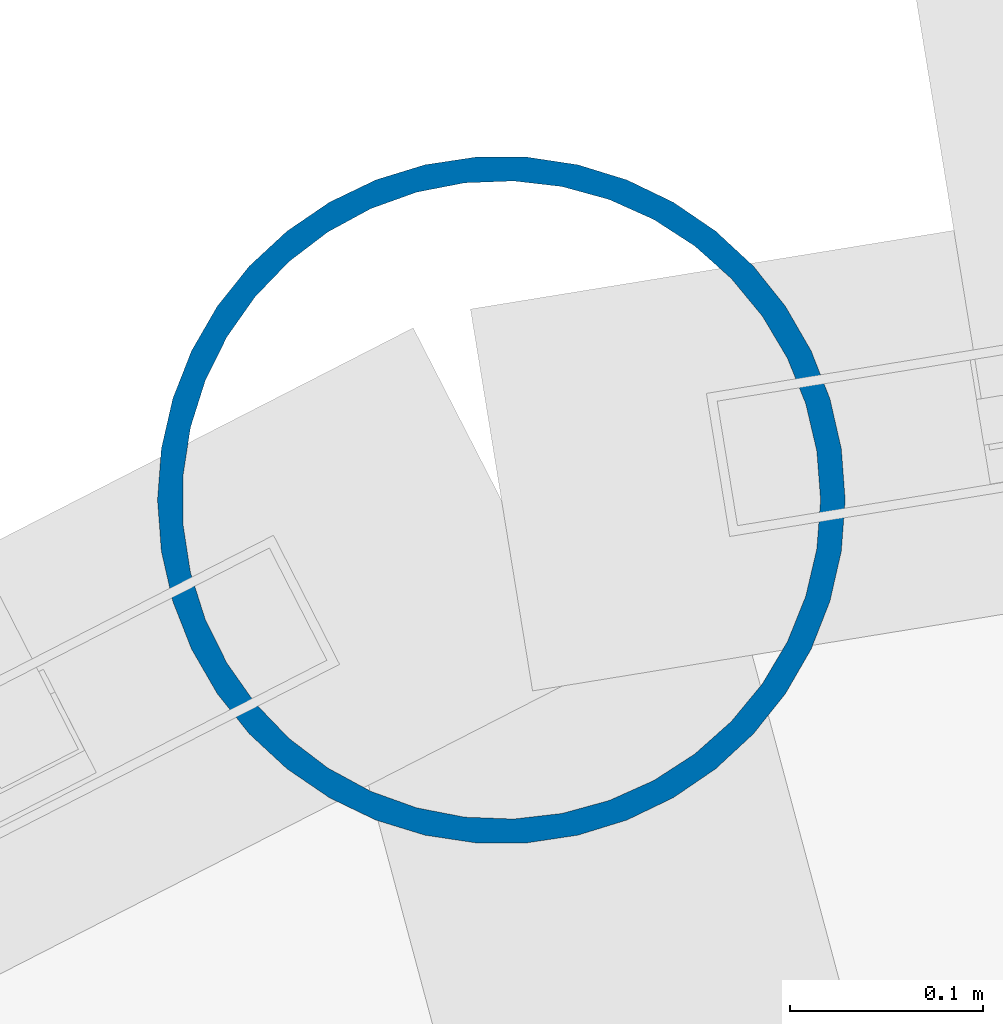
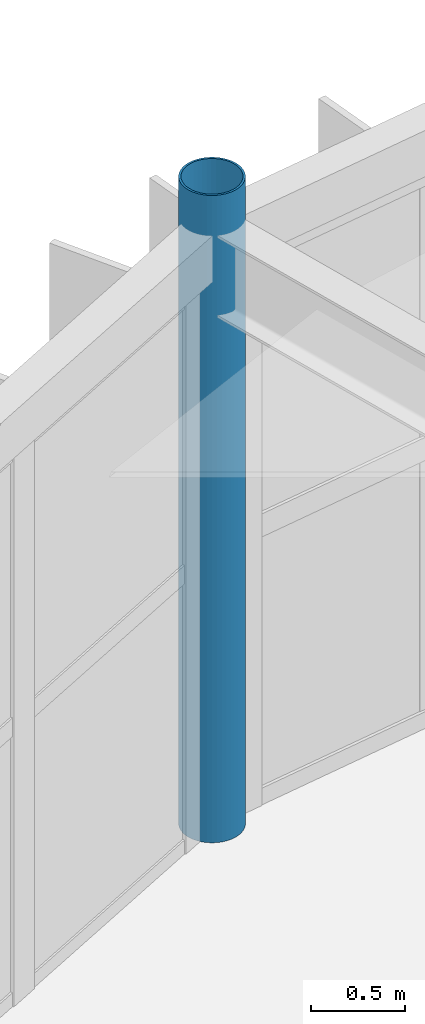
# One storey, part 13 of 147: 1 column.
"""IFC4 building model written with IfcOpenShell, lengths in metres."""

from ifc_helpers import new_model, si_unit, direction, frame, origin, origin_2d, place, context, subcontext, project, spatial, hollow_circle, extrude, material, material_profile, profile_set, type_object, element, save


model = new_model("IFC4")

# Units and contexts
model_context = context("Model", 3, precision=1e-05, world=origin(), true_north=direction((0.0, 1.0)))
body_context = subcontext(model_context, "Body", "Model", "MODEL_VIEW")
ifc_project = project(units=[si_unit("LENGTHUNIT", "METRE"), si_unit("AREAUNIT", "SQUARE_METRE"), si_unit("VOLUMEUNIT", "CUBIC_METRE"), si_unit("PLANEANGLEUNIT", "RADIAN"), si_unit("MASSUNIT", "GRAM", prefix="KILO")], contexts=[model_context])

# Site, building, storey
site_placement = place(None, origin())
site = spatial("IfcSite", under=ifc_project, at=site_placement, CompositionType="ELEMENT")
building_placement = place(site_placement, origin())
building = spatial("IfcBuilding", under=site, at=building_placement, Name="Karori Crest Natural Sciences Institute", CompositionType="ELEMENT")
storey_placement = place(building_placement, frame((0.0, 0.0, 9.10009765625)))
storey = spatial("IfcBuildingStorey", under=building, at=storey_placement, Name="L02", CompositionType="ELEMENT", Elevation=9.10009765625)

# Column
ifc_material = material(Name="Hollow structural steel AS/NZS 1163 Grade C350", Category="steel")
ifc_material_profile = material_profile(ifc_material, hollow_circle(Radius=0.177734375, WallThickness=0.0126953125, at=origin_2d()), Name="CHS355.6x12.7")
ifc_profile_set = profile_set([ifc_material_profile], Name="Hollow structural steel AS/NZS 1163 Grade C350")
column_type = type_object("IfcColumnType", Name="CT-14", PredefinedType="COLUMN", material=ifc_profile_set)
column_placement = place(storey_placement, frame((57.85888671875, 89.309814453125, 0.0), z_axis=(0.0, 0.0, 1.0), x_axis=(1.0, 0.0, 0.0)))
element("IfcColumn", 1, at=column_placement, inside=storey, type_object=column_type, Name="Column C-0131", PredefinedType="COLUMN", context=body_context, shape_type="SweptSolid", body=[
    extrude(hollow_circle(Radius=0.177734375, WallThickness=0.0126953125, at=origin_2d()), origin(), (0.0, 0.0, 1.0), 4.199951171875),
])

save(model, "model.ifc")
